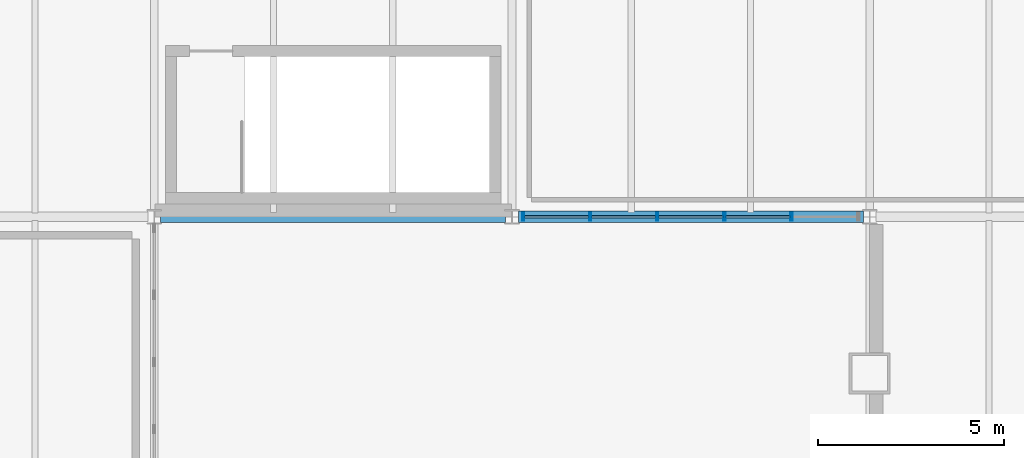
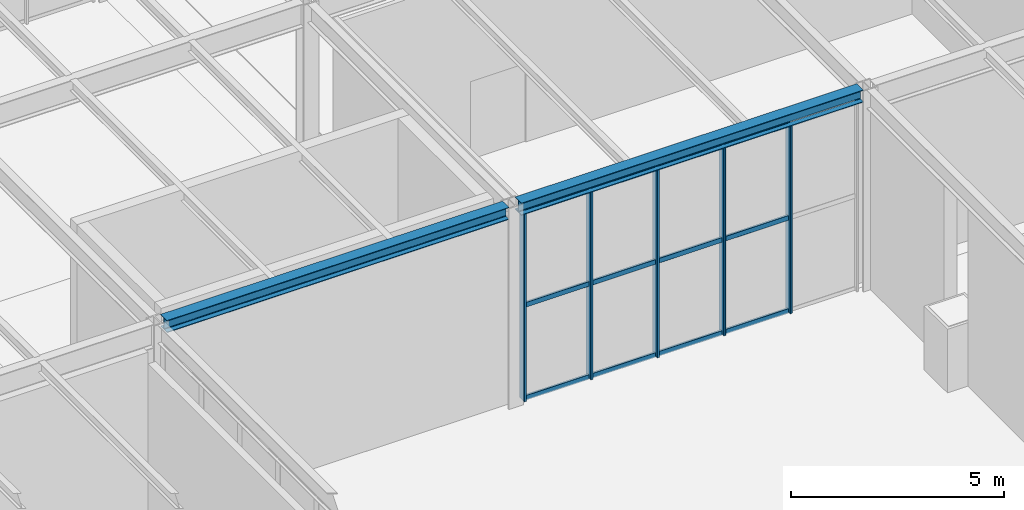
# One storey, part 55 of 142: 17 members, 2 beams, 1 element without a shape of its own.
"""IFC4 building model written with IfcOpenShell, lengths in metres."""

from ifc_helpers import new_model, si_unit, direction, frame, origin, origin_2d, place, context, subcontext, project, spatial, hollow_rectangle, i_section, extrude, material, material_profile, profile_set, type_object, element, aggregate, save


model = new_model("IFC4")

# Units and contexts
model_context = context("Model", 3, precision=1e-05, world=origin(), true_north=direction((0.0, 1.0)))
body_context = subcontext(model_context, "Body", "Model", "MODEL_VIEW")
ifc_project = project(units=[si_unit("LENGTHUNIT", "METRE"), si_unit("AREAUNIT", "SQUARE_METRE"), si_unit("VOLUMEUNIT", "CUBIC_METRE"), si_unit("PLANEANGLEUNIT", "RADIAN"), si_unit("MASSUNIT", "GRAM", prefix="KILO")], contexts=[model_context])

# Site, building, storey
site_placement = place(None, origin())
site = spatial("IfcSite", under=ifc_project, at=site_placement, CompositionType="ELEMENT")
building_placement = place(site_placement, origin())
building = spatial("IfcBuilding", under=site, at=building_placement, Name="Coralgate Yard Interchange", CompositionType="ELEMENT")
storey_placement = place(building_placement, origin())
storey = spatial("IfcBuildingStorey", under=building, at=storey_placement, Name="L00", CompositionType="ELEMENT", Elevation=0.0)

# Beams
ifc_material_1 = material(Name="Structural steel S355J2", Category="steel")
ifc_material_profile_1 = material_profile(ifc_material_1, i_section(OverallWidth=0.300048828125, OverallDepth=0.35009765625, WebThickness=0.010009765625, FlangeThickness=0.017578125, FilletRadius=0.027099609375, at=origin_2d()), Name="HEA 360")
ifc_profile_set_1 = profile_set([ifc_material_profile_1], Name="Structural steel S355J2")
beam_type = type_object("IfcBeamType", Name="BM-SP-1", PredefinedType="SPANDREL", material=ifc_profile_set_1)
for number, where, z_axis, x_axis, name in (
    (1, (28.969482421875, 38.39990234375, 5.574951171875), (1.0, 0.0, 0.0), (0.0, 1.0, 0.0), "L00 primary grid beam Y4 X3-4"),
    (2, (38.569580078125, 38.39990234375, 5.574951171875), (1.0, 0.0, 0.0), (0.0, 1.0, 0.0), "L00 primary grid beam Y4 X4-5"),
):
    element("IfcBeam", number, at=place(storey_placement, frame(where, z_axis=z_axis, x_axis=x_axis)), inside=storey, type_object=beam_type, Name=name, PredefinedType="SPANDREL", context=body_context, shape_type="SweptSolid", body=[
        extrude(i_section(OverallWidth=0.300048828125, OverallDepth=0.35009765625, WebThickness=0.010009765625, FlangeThickness=0.017578125, FilletRadius=0.027099609375, at=origin_2d()), origin(), (0.0, 0.0, 1.0), 9.260986328125),
    ])

# Curtain wall, members
ifc_material_2 = material(Name="Anodised coastal aluminium and solar-control low-E glass", Category="aluminium")
curtain_wall_type = type_object("IfcCurtainWallType", Name="CW-CW-L00-A", PredefinedType="NOTDEFINED", material=ifc_material_2)
curtain_wall_placement = place(storey_placement, origin())
curtain_wall = element("IfcCurtainWall", 3, at=curtain_wall_placement, inside=storey, type_object=curtain_wall_type, Name="L00 unitised curtain wall CW-L00-S-04-04", PredefinedType="NOTDEFINED")
ifc_material_3 = material(Name="Anodised coastal aluminium 6063-T6", Category="aluminium")
ifc_material_profile_2 = material_profile(ifc_material_3, hollow_rectangle(XDim=0.06005859375, YDim=0.219970703125, WallThickness=0.00390625, InnerFilletRadius=0.00390625, OuterFilletRadius=0.008056640625, at=origin_2d()), Name="ALU 60x220x4")
ifc_profile_set_2 = profile_set([ifc_material_profile_2], Name="Anodised coastal aluminium 6063-T6")
member_type_1 = type_object("IfcMemberType", Name="MB-MUL-220", PredefinedType="MULLION", material=ifc_profile_set_2)
member_1_placement = place(storey_placement, frame((45.89990234375, 38.39990234375, 0.0), z_axis=(0.0, 0.0, 1.0), x_axis=(1.0, 0.0, 0.0)))
member_1 = element("IfcMember", 4, at=member_1_placement, type_object=member_type_1, Name="CW-L00-S-04-04 vertical mullion 2", PredefinedType="MULLION", context=body_context, shape_type="SweptSolid", body=[
    extrude(hollow_rectangle(XDim=0.06005859375, YDim=0.219970703125, WallThickness=0.00390625, InnerFilletRadius=0.00390625, OuterFilletRadius=0.008056640625, at=origin_2d()), origin(), (0.0, 0.0, 1.0), 5.39990234375),
])
member_2_placement = place(storey_placement, frame((44.10009765625, 38.39990234375, 0.0), z_axis=(0.0, 0.0, 1.0), x_axis=(1.0, 0.0, 0.0)))
member_2 = element("IfcMember", 5, at=member_2_placement, type_object=member_type_1, Name="CW-L00-S-04-04 vertical mullion 3", PredefinedType="MULLION", context=body_context, shape_type="SweptSolid", body=[
    extrude(hollow_rectangle(XDim=0.06005859375, YDim=0.219970703125, WallThickness=0.00390625, InnerFilletRadius=0.00390625, OuterFilletRadius=0.008056640625, at=origin_2d()), origin(), (0.0, 0.0, 1.0), 5.39990234375),
])
member_3_placement = place(storey_placement, frame((42.300048828125, 38.39990234375, 0.0), z_axis=(0.0, 0.0, 1.0), x_axis=(1.0, 0.0, 0.0)))
member_3 = element("IfcMember", 6, at=member_3_placement, type_object=member_type_1, Name="CW-L00-S-04-04 vertical mullion 4", PredefinedType="MULLION", context=body_context, shape_type="SweptSolid", body=[
    extrude(hollow_rectangle(XDim=0.06005859375, YDim=0.219970703125, WallThickness=0.00390625, InnerFilletRadius=0.00390625, OuterFilletRadius=0.008056640625, at=origin_2d()), origin(), (0.0, 0.0, 1.0), 5.39990234375),
])
member_4_placement = place(storey_placement, frame((40.5, 38.39990234375, 0.0), z_axis=(0.0, 0.0, 1.0), x_axis=(1.0, 0.0, 0.0)))
member_4 = element("IfcMember", 7, at=member_4_placement, type_object=member_type_1, Name="CW-L00-S-04-04 vertical mullion 5", PredefinedType="MULLION", context=body_context, shape_type="SweptSolid", body=[
    extrude(hollow_rectangle(XDim=0.06005859375, YDim=0.219970703125, WallThickness=0.00390625, InnerFilletRadius=0.00390625, OuterFilletRadius=0.008056640625, at=origin_2d()), origin(), (0.0, 0.0, 1.0), 5.39990234375),
])
member_5_placement = place(storey_placement, frame((38.699951171875, 38.39990234375, 0.0), z_axis=(0.0, 0.0, 1.0), x_axis=(1.0, 0.0, 0.0)))
member_5 = element("IfcMember", 8, at=member_5_placement, type_object=member_type_1, Name="CW-L00-S-04-04 vertical mullion 6", PredefinedType="MULLION", context=body_context, shape_type="SweptSolid", body=[
    extrude(hollow_rectangle(XDim=0.06005859375, YDim=0.219970703125, WallThickness=0.00390625, InnerFilletRadius=0.00390625, OuterFilletRadius=0.008056640625, at=origin_2d()), origin(), (0.0, 0.0, 1.0), 5.39990234375),
])
ifc_material_profile_3 = material_profile(ifc_material_3, hollow_rectangle(XDim=0.06005859375, YDim=0.139892578125, WallThickness=0.00341796875, InnerFilletRadius=0.00341796875, OuterFilletRadius=0.007080078125, at=origin_2d()), Name="ALU 60x140x3.5")
ifc_profile_set_3 = profile_set([ifc_material_profile_3], Name="Anodised coastal aluminium 6063-T6")
member_type_2 = type_object("IfcMemberType", Name="MB-TRN-140", PredefinedType="USERDEFINED", material=ifc_profile_set_3)
member_6_placement = place(storey_placement, frame((45.8701171875, 38.39990234375, 0.034912109375), z_axis=(-1.0, 0.0, 0.0), x_axis=(0.0, -1.0, 0.0)))
member_6 = element("IfcMember", 9, at=member_6_placement, type_object=member_type_2, Name="CW-L00-S-04-04 horizontal transom 2-1", ObjectType="TRANSOM", PredefinedType="USERDEFINED", context=body_context, shape_type="SweptSolid", body=[
    extrude(hollow_rectangle(XDim=0.06005859375, YDim=0.139892578125, WallThickness=0.00341796875, InnerFilletRadius=0.00341796875, OuterFilletRadius=0.007080078125, at=origin_2d()), origin(), (0.0, 0.0, 1.0), 1.740234375),
])
member_7_placement = place(storey_placement, frame((45.8701171875, 38.39990234375, 2.699951171875), z_axis=(-1.0, 0.0, 0.0), x_axis=(0.0, -1.0, 0.0)))
member_7 = element("IfcMember", 10, at=member_7_placement, type_object=member_type_2, Name="CW-L00-S-04-04 horizontal transom 2-2", ObjectType="TRANSOM", PredefinedType="USERDEFINED", context=body_context, shape_type="SweptSolid", body=[
    extrude(hollow_rectangle(XDim=0.06005859375, YDim=0.139892578125, WallThickness=0.00341796875, InnerFilletRadius=0.00341796875, OuterFilletRadius=0.007080078125, at=origin_2d()), origin(), (0.0, 0.0, 1.0), 1.740234375),
])
member_8_placement = place(storey_placement, frame((45.8701171875, 38.39990234375, 5.364990234375), z_axis=(-1.0, 0.0, 0.0), x_axis=(0.0, -1.0, 0.0)))
member_8 = element("IfcMember", 11, at=member_8_placement, type_object=member_type_2, Name="CW-L00-S-04-04 horizontal transom 2-3", ObjectType="TRANSOM", PredefinedType="USERDEFINED", context=body_context, shape_type="SweptSolid", body=[
    extrude(hollow_rectangle(XDim=0.06005859375, YDim=0.139892578125, WallThickness=0.00341796875, InnerFilletRadius=0.00341796875, OuterFilletRadius=0.007080078125, at=origin_2d()), origin(), (0.0, 0.0, 1.0), 1.740234375),
])
member_9_placement = place(storey_placement, frame((44.070068359375, 38.39990234375, 0.034912109375), z_axis=(-1.0, 0.0, 0.0), x_axis=(0.0, -1.0, 0.0)))
member_9 = element("IfcMember", 12, at=member_9_placement, type_object=member_type_2, Name="CW-L00-S-04-04 horizontal transom 3-1", ObjectType="TRANSOM", PredefinedType="USERDEFINED", context=body_context, shape_type="SweptSolid", body=[
    extrude(hollow_rectangle(XDim=0.06005859375, YDim=0.139892578125, WallThickness=0.00341796875, InnerFilletRadius=0.00341796875, OuterFilletRadius=0.007080078125, at=origin_2d()), origin(), (0.0, 0.0, 1.0), 1.739990234375),
])
member_10_placement = place(storey_placement, frame((44.070068359375, 38.39990234375, 2.699951171875), z_axis=(-1.0, 0.0, 0.0), x_axis=(0.0, -1.0, 0.0)))
member_10 = element("IfcMember", 13, at=member_10_placement, type_object=member_type_2, Name="CW-L00-S-04-04 horizontal transom 3-2", ObjectType="TRANSOM", PredefinedType="USERDEFINED", context=body_context, shape_type="SweptSolid", body=[
    extrude(hollow_rectangle(XDim=0.06005859375, YDim=0.139892578125, WallThickness=0.00341796875, InnerFilletRadius=0.00341796875, OuterFilletRadius=0.007080078125, at=origin_2d()), origin(), (0.0, 0.0, 1.0), 1.739990234375),
])
member_11_placement = place(storey_placement, frame((44.070068359375, 38.39990234375, 5.364990234375), z_axis=(-1.0, 0.0, 0.0), x_axis=(0.0, -1.0, 0.0)))
member_11 = element("IfcMember", 14, at=member_11_placement, type_object=member_type_2, Name="CW-L00-S-04-04 horizontal transom 3-3", ObjectType="TRANSOM", PredefinedType="USERDEFINED", context=body_context, shape_type="SweptSolid", body=[
    extrude(hollow_rectangle(XDim=0.06005859375, YDim=0.139892578125, WallThickness=0.00341796875, InnerFilletRadius=0.00341796875, OuterFilletRadius=0.007080078125, at=origin_2d()), origin(), (0.0, 0.0, 1.0), 1.739990234375),
])
member_12_placement = place(storey_placement, frame((42.27001953125, 38.39990234375, 0.034912109375), z_axis=(-1.0, 0.0, 0.0), x_axis=(0.0, -1.0, 0.0)))
member_12 = element("IfcMember", 15, at=member_12_placement, type_object=member_type_2, Name="CW-L00-S-04-04 horizontal transom 4-1", ObjectType="TRANSOM", PredefinedType="USERDEFINED", context=body_context, shape_type="SweptSolid", body=[
    extrude(hollow_rectangle(XDim=0.06005859375, YDim=0.139892578125, WallThickness=0.00341796875, InnerFilletRadius=0.00341796875, OuterFilletRadius=0.007080078125, at=origin_2d()), origin(), (0.0, 0.0, 1.0), 1.739990234375),
])
member_13_placement = place(storey_placement, frame((42.27001953125, 38.39990234375, 2.699951171875), z_axis=(-1.0, 0.0, 0.0), x_axis=(0.0, -1.0, 0.0)))
member_13 = element("IfcMember", 16, at=member_13_placement, type_object=member_type_2, Name="CW-L00-S-04-04 horizontal transom 4-2", ObjectType="TRANSOM", PredefinedType="USERDEFINED", context=body_context, shape_type="SweptSolid", body=[
    extrude(hollow_rectangle(XDim=0.06005859375, YDim=0.139892578125, WallThickness=0.00341796875, InnerFilletRadius=0.00341796875, OuterFilletRadius=0.007080078125, at=origin_2d()), origin(), (0.0, 0.0, 1.0), 1.739990234375),
])
member_14_placement = place(storey_placement, frame((42.27001953125, 38.39990234375, 5.364990234375), z_axis=(-1.0, 0.0, 0.0), x_axis=(0.0, -1.0, 0.0)))
member_14 = element("IfcMember", 17, at=member_14_placement, type_object=member_type_2, Name="CW-L00-S-04-04 horizontal transom 4-3", ObjectType="TRANSOM", PredefinedType="USERDEFINED", context=body_context, shape_type="SweptSolid", body=[
    extrude(hollow_rectangle(XDim=0.06005859375, YDim=0.139892578125, WallThickness=0.00341796875, InnerFilletRadius=0.00341796875, OuterFilletRadius=0.007080078125, at=origin_2d()), origin(), (0.0, 0.0, 1.0), 1.739990234375),
])
member_15_placement = place(storey_placement, frame((40.469970703125, 38.39990234375, 0.034912109375), z_axis=(-1.0, 0.0, 0.0), x_axis=(0.0, -1.0, 0.0)))
member_15 = element("IfcMember", 18, at=member_15_placement, type_object=member_type_2, Name="CW-L00-S-04-04 horizontal transom 5-1", ObjectType="TRANSOM", PredefinedType="USERDEFINED", context=body_context, shape_type="SweptSolid", body=[
    extrude(hollow_rectangle(XDim=0.06005859375, YDim=0.139892578125, WallThickness=0.00341796875, InnerFilletRadius=0.00341796875, OuterFilletRadius=0.007080078125, at=origin_2d()), origin(), (0.0, 0.0, 1.0), 1.739990234375),
])
member_16_placement = place(storey_placement, frame((40.469970703125, 38.39990234375, 2.699951171875), z_axis=(-1.0, 0.0, 0.0), x_axis=(0.0, -1.0, 0.0)))
member_16 = element("IfcMember", 19, at=member_16_placement, type_object=member_type_2, Name="CW-L00-S-04-04 horizontal transom 5-2", ObjectType="TRANSOM", PredefinedType="USERDEFINED", context=body_context, shape_type="SweptSolid", body=[
    extrude(hollow_rectangle(XDim=0.06005859375, YDim=0.139892578125, WallThickness=0.00341796875, InnerFilletRadius=0.00341796875, OuterFilletRadius=0.007080078125, at=origin_2d()), origin(), (0.0, 0.0, 1.0), 1.739990234375),
])
member_17_placement = place(storey_placement, frame((40.469970703125, 38.39990234375, 5.364990234375), z_axis=(-1.0, 0.0, 0.0), x_axis=(0.0, -1.0, 0.0)))
member_17 = element("IfcMember", 20, at=member_17_placement, type_object=member_type_2, Name="CW-L00-S-04-04 horizontal transom 5-3", ObjectType="TRANSOM", PredefinedType="USERDEFINED", context=body_context, shape_type="SweptSolid", body=[
    extrude(hollow_rectangle(XDim=0.06005859375, YDim=0.139892578125, WallThickness=0.00341796875, InnerFilletRadius=0.00341796875, OuterFilletRadius=0.007080078125, at=origin_2d()), origin(), (0.0, 0.0, 1.0), 1.739990234375),
])
aggregate(curtain_wall, [member_1, member_2, member_3, member_4, member_5, member_6, member_7, member_8, member_9, member_10, member_11, member_12, member_13, member_14, member_15, member_16, member_17])

save(model, "model.ifc")
